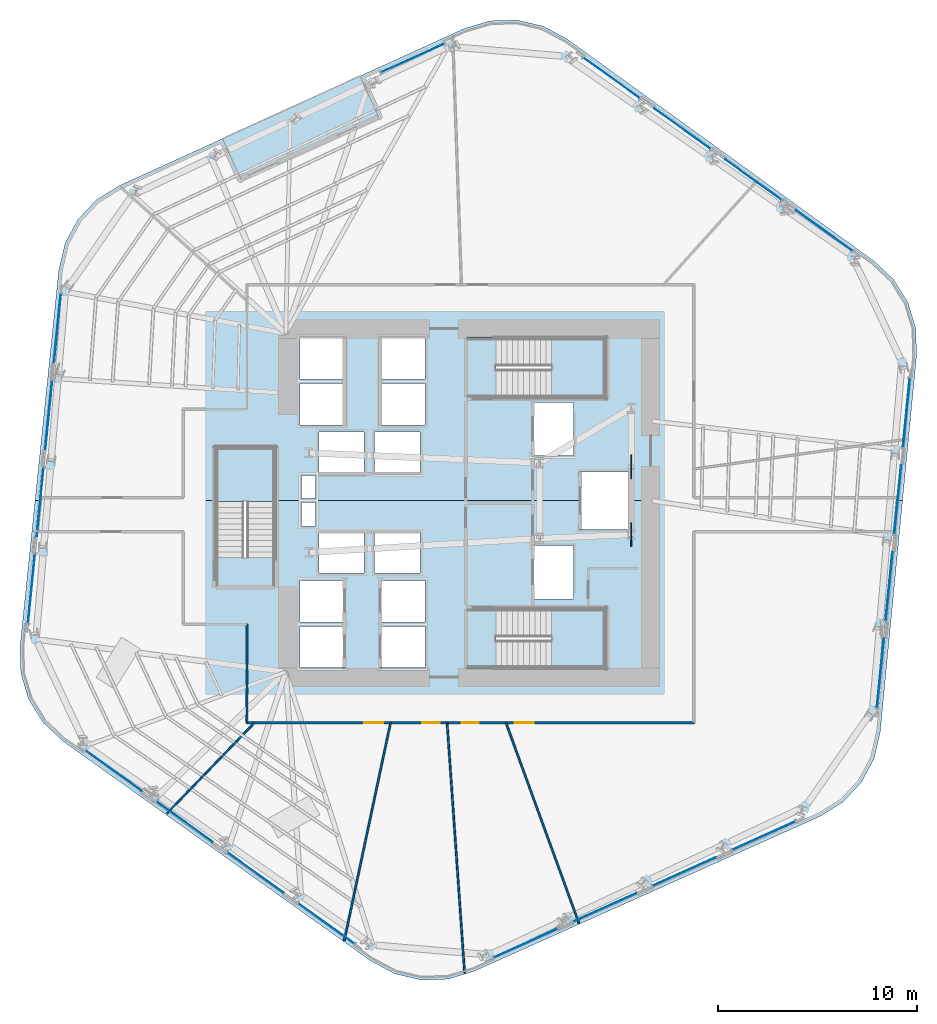
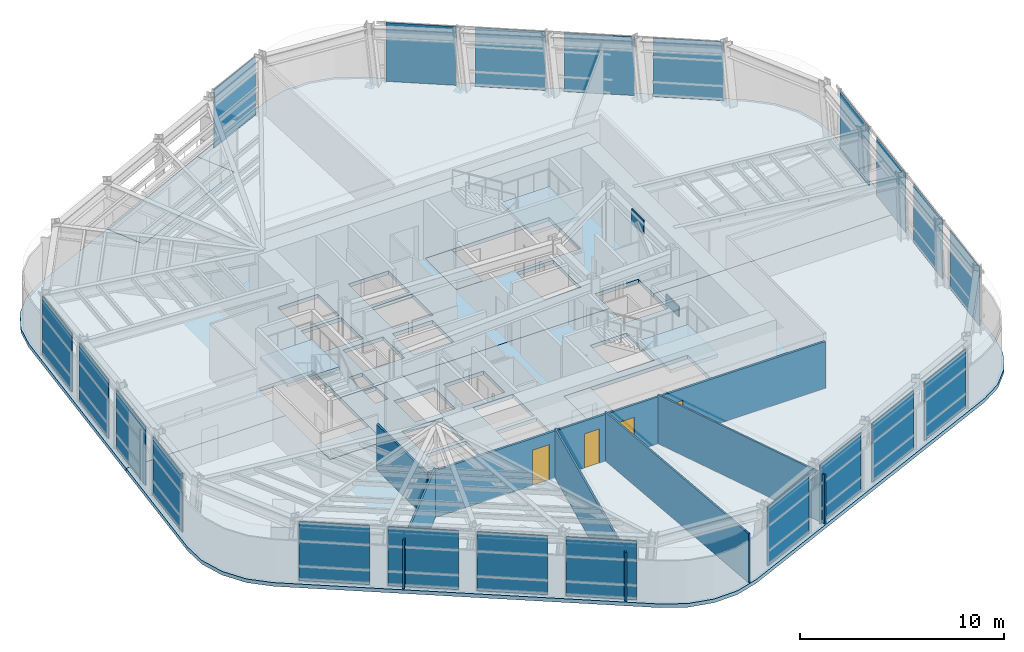
# One storey, part 8 of 16: 23 plates, 9 slabs, 6 walls, 4 doors, 4 openings, 9 elements without a shape of their own.
"""IFC4 building model written with IfcOpenShell, lengths in metres."""

import ifcopenshell
import ifcopenshell.guid

model = None  # the IFC model being written
_history = None  # IfcOwnerHistory: only IFC2X3 demands one
_inside = {}  # id of a spatial element -> (the spatial element, [elements in it])
_under = {}  # id of a project, library or spatial element -> (it, [spatial elements below it])
_declared = {}  # id of a project -> (the project, [libraries it declares])
_typed = {}  # id of a type object -> (the type object, [elements of that type])
_made_of = {}  # id of a material, layer set ... -> (it, [elements and type objects made of it])


def new_model(schema):
    """Start an empty IFC model of exactly this schema.

    Asked for "IFC4X3", IfcOpenShell would pick the latest addendum, in which some entities
    have other attributes; the version numbers below select the first issue.
    IFC2X3 requires an IfcOwnerHistory on every rooted entity: one is made here for all.
    """
    global model, _history
    if schema == "IFC4X3":
        model = ifcopenshell.file(schema_version=(4, 3, 0, 0))
    else:
        model = ifcopenshell.file(schema=schema)
    _inside.clear()
    _under.clear()
    _declared.clear()
    _typed.clear()
    _made_of.clear()
    _history = None
    if model.schema == "IFC2X3":
        org = make("IfcOrganization", Name="unknown")
        user = make(
            "IfcPersonAndOrganization",
            ThePerson=make("IfcPerson", FamilyName="unknown"),
            TheOrganization=org,
        )
        app = make(
            "IfcApplication",
            ApplicationDeveloper=org,
            Version="unknown",
            ApplicationFullName="unknown",
            ApplicationIdentifier="unknown",
        )
        _history = make(
            "IfcOwnerHistory",
            OwningUser=user,
            OwningApplication=app,
            ChangeAction="ADDED",
            CreationDate=0,
        )
    return model


def make(cls, **values):
    """One entity of the class cls with the attributes given. An attribute that is None is left unset."""
    return model.create_entity(
        cls, **{name: value for name, value in values.items() if value is not None}
    )


def rooted(cls, **values):
    """An entity with a GlobalId (a new one), such as an element, a storey or a relation."""
    return make(cls, GlobalId=ifcopenshell.guid.new(), OwnerHistory=_history, **values)


def si_unit(unit_type, name, prefix=None):
    """IfcSIUnit, for example si_unit("LENGTHUNIT", "METRE", prefix="MILLI")."""
    return make("IfcSIUnit", UnitType=unit_type, Prefix=prefix, Name=name)


def assignment(units):
    """IfcUnitAssignment: the units of a project."""
    return None if units is None else make("IfcUnitAssignment", Units=units)


def point(xyz):
    """IfcCartesianPoint."""
    return None if xyz is None else make("IfcCartesianPoint", Coordinates=xyz)


def direction(xyz):
    """IfcDirection."""
    return None if xyz is None else make("IfcDirection", DirectionRatios=xyz)


def frame(location, z_axis=None, x_axis=None):
    """IfcAxis2Placement3D, a coordinate frame: its origin and axes. An axis left out is left unset."""
    return make(
        "IfcAxis2Placement3D",
        Location=point(location),
        Axis=direction(z_axis),
        RefDirection=direction(x_axis),
    )


def frame_2d(location, x_axis=None):
    """IfcAxis2Placement2D, a coordinate frame in the plane: its origin and x axis."""
    return make(
        "IfcAxis2Placement2D", Location=point(location), RefDirection=direction(x_axis)
    )


def origin():
    """The frame at (0, 0, 0) with its axes left unset."""
    return frame((0.0, 0.0, 0.0))


def origin_2d():
    """The frame at (0, 0) in the plane with its x axis left unset."""
    return frame_2d((0.0, 0.0))


def place(relative_to, where):
    """IfcLocalPlacement: puts the frame where relative to a parent placement (None: the world)."""
    return make(
        "IfcLocalPlacement", PlacementRelTo=relative_to, RelativePlacement=where
    )


def context(
    kind, dimensions, precision=None, world=None, true_north=None, identifier=None
):
    """IfcGeometricRepresentationContext, for example the 3D "Model" context."""
    return make(
        "IfcGeometricRepresentationContext",
        ContextIdentifier=identifier,
        ContextType=kind,
        CoordinateSpaceDimension=dimensions,
        Precision=precision,
        WorldCoordinateSystem=world,
        TrueNorth=true_north,
    )


def subcontext(parent, identifier, kind, view, scale=None):
    """IfcGeometricRepresentationSubContext, for example "Body" below "Model"."""
    return make(
        "IfcGeometricRepresentationSubContext",
        ContextIdentifier=identifier,
        ContextType=kind,
        ParentContext=parent,
        TargetScale=scale,
        TargetView=view,
    )


def project(units=None, contexts=None):
    """IfcProject with its units and contexts."""
    return rooted(
        "IfcProject",
        Name="project",
        RepresentationContexts=contexts,
        UnitsInContext=assignment(units),
    )


def spatial(cls, under=None, at=None, **own):
    """A site, building, storey or space (cls), placed at a placement, below another one or the project."""
    s = rooted(cls, ObjectPlacement=at, **own)
    if under is not None:
        _under.setdefault(under.id(), (under, []))[1].append(s)
    return s


def polyline(points):
    """IfcPolyline through the points."""
    return make("IfcPolyline", Points=[point(p) for p in points])


def profile(cls, at=None, kind="AREA", **sizes):
    """A parametric profile (cls). Its sizes go by their IFC names, for example OverallWidth=200.0."""
    return make(cls, ProfileType=kind, Position=at, **sizes)


def rectangle(**sizes):
    """IfcRectangleProfileDef."""
    return profile("IfcRectangleProfileDef", **sizes)


def outline(outer, holes=None, kind="AREA"):
    """IfcArbitraryClosedProfileDef: a profile drawn as a closed curve; with holes, ...WithVoids."""
    if holes is None:
        return make("IfcArbitraryClosedProfileDef", ProfileType=kind, OuterCurve=outer)
    return make(
        "IfcArbitraryProfileDefWithVoids",
        ProfileType=kind,
        OuterCurve=outer,
        InnerCurves=holes,
    )


def extrude(swept, where, along, depth):
    """IfcExtrudedAreaSolid: the profile swept, set in the frame where, extruded along a direction by depth."""
    return make(
        "IfcExtrudedAreaSolid",
        SweptArea=swept,
        Position=where,
        ExtrudedDirection=direction(along),
        Depth=depth,
    )


def shape(context_of_items, identifier, shape_type, items):
    """IfcShapeRepresentation: the items that make up one representation, for example the "Body"."""
    return make(
        "IfcShapeRepresentation",
        ContextOfItems=context_of_items,
        RepresentationIdentifier=identifier,
        RepresentationType=shape_type,
        Items=items,
    )


def material(Name=None, Category=None):
    """IfcMaterial."""
    return make("IfcMaterial", Name=Name, Category=Category)


def layer(
    of_material, thickness, ventilated=None, Name=None, Category=None, Priority=None
):
    """IfcMaterialLayer: one layer of a wall or slab, of a material (None: an air gap)."""
    return make(
        "IfcMaterialLayer",
        Material=of_material,
        LayerThickness=thickness,
        IsVentilated=ventilated,
        Name=Name,
        Category=Category,
        Priority=Priority,
    )


def layer_set(layers, Name=None):
    """IfcMaterialLayerSet."""
    return make("IfcMaterialLayerSet", MaterialLayers=layers, LayerSetName=Name)


def made_of(thing, what):
    """Note that an element or type object is made of a material, layer set ...; save() writes the relation."""
    if what is not None:
        _made_of.setdefault(what.id(), (what, []))[1].append(thing)
    return thing


def type_object(cls, material=None, **own):
    """A type object (cls), such as IfcWallType, which elements share."""
    return made_of(rooted(cls, **own), material)


def element(
    cls,
    number,
    at=None,
    inside=None,
    cuts=None,
    type_object=None,
    material=None,
    context=None,
    identifier="Body",
    shape_type=None,
    held_by="IfcProductDefinitionShape",
    body=None,
    shapes=None,
    **own,
):
    """One element of the class cls, such as IfcWall. Its Tag is "e" and its number.

    at: its placement. inside: the storey or other place that contains it. cuts: it is an
    opening in that element (IfcRelVoidsElement). A single representation is given by context,
    identifier, shape_type and body (its items); several are given by shapes. held_by: the class
    of the entity that holds the representations. save() writes the other relations.
    """
    e = rooted(cls, Tag="e%d" % number, ObjectPlacement=at, **own)
    if body is not None:
        shapes = [shape(context, identifier, shape_type, body)]
    if shapes is not None:
        e.Representation = make(held_by, Representations=shapes)
    if inside is not None:
        _inside.setdefault(inside.id(), (inside, []))[1].append(e)
    if cuts is not None:
        rooted(
            "IfcRelVoidsElement", RelatingBuildingElement=cuts, RelatedOpeningElement=e
        )
    if type_object is not None:
        _typed.setdefault(type_object.id(), (type_object, []))[1].append(e)
    return made_of(e, material)


def fill(opening, filler):
    """IfcRelFillsElement: the door or window that sits in an opening."""
    return rooted(
        "IfcRelFillsElement",
        RelatingOpeningElement=opening,
        RelatedBuildingElement=filler,
    )


def aggregate(whole, parts):
    """IfcRelAggregates: a whole, such as a stair, and the parts it consists of."""
    return rooted("IfcRelAggregates", RelatingObject=whole, RelatedObjects=parts)


def save(model, path):
    """Write the relations noted so far, then the file.

    IfcRelAggregates (storeys below a building ...), IfcRelContainedInSpatialStructure (elements
    in a storey), IfcRelDefinesByType, IfcRelAssociatesMaterial and IfcRelDeclares: one each for
    every whole, place, type object, material and project.
    """
    for whole, parts in _under.values():
        aggregate(whole, parts)
    for where, things in _inside.values():
        rooted(
            "IfcRelContainedInSpatialStructure",
            RelatedElements=things,
            RelatingStructure=where,
        )
    for kind, things in _typed.values():
        rooted("IfcRelDefinesByType", RelatedObjects=things, RelatingType=kind)
    for what, things in _made_of.values():
        rooted("IfcRelAssociatesMaterial", RelatedObjects=things, RelatingMaterial=what)
    for by, libraries in _declared.values():
        rooted("IfcRelDeclares", RelatingContext=by, RelatedDefinitions=libraries)
    model.write(path)


model = new_model("IFC4")

# Units and contexts
model_context = context("Model", 3, precision=1e-05, world=origin(), true_north=direction((0.0, 1.0)))
body_context = subcontext(model_context, "Body", "Model", "MODEL_VIEW")
ifc_project = project(units=[si_unit("LENGTHUNIT", "METRE"), si_unit("AREAUNIT", "SQUARE_METRE"), si_unit("VOLUMEUNIT", "CUBIC_METRE"), si_unit("PLANEANGLEUNIT", "RADIAN"), si_unit("MASSUNIT", "GRAM", prefix="KILO")], contexts=[model_context])

# Site, building, storey
site_placement = place(None, origin())
site = spatial("IfcSite", under=ifc_project, at=site_placement, CompositionType="ELEMENT")
building_placement = place(site_placement, origin())
building = spatial("IfcBuilding", under=site, at=building_placement, Name="Valkerne Bourse Tower", CompositionType="ELEMENT")
storey_placement = place(building_placement, frame((0.0, 0.0, 127.60009765625)))
storey = spatial("IfcBuildingStorey", under=building, at=storey_placement, Name="L32", CompositionType="ELEMENT", Elevation=127.60009765625)

# Curtain wall, plates
ifc_material_1 = material(Name="Aluminium AA 6063-T6", Category="aluminium")
ifc_layer_1 = layer(ifc_material_1, 0.22998046875)
ifc_layer_set_1 = layer_set([ifc_layer_1], Name="Aluminium AA 6063-T6")
curtain_wall_type = type_object("IfcCurtainWallType", Name="CW-02", PredefinedType="NOTDEFINED", material=ifc_layer_set_1)
curtain_wall_1_placement = place(storey_placement, origin())
curtain_wall_1 = element("IfcCurtainWall", 1, at=curtain_wall_1_placement, inside=storey, type_object=curtain_wall_type, Name="L32 Hexagonal Stick Curtain Wall Face 1", PredefinedType="NOTDEFINED")
ifc_material_2 = material(Name="Glass IGU Low-E Double Glazed", Category="glass")
ifc_layer_2 = layer(ifc_material_2, 0.031982421875)
ifc_layer_set_2 = layer_set([ifc_layer_2], Name="Glass IGU Low-E Double Glazed")
plate_type_1 = type_object("IfcPlateType", Name="CW-PNL-IGU-32", PredefinedType="CURTAIN_PANEL", material=ifc_layer_set_2)
plate_1_placement = place(storey_placement, frame((64.64306640625, 40.564697265625, 0.02978515625), z_axis=(0.0, 0.0, 1.0), x_axis=(-0.812093080647, 0.583527915669, 0.0)))
plate_1 = element("IfcPlate", 2, at=plate_1_placement, type_object=plate_type_1, Name="CW-L32-F1 Curtain Panel 00", PredefinedType="CURTAIN_PANEL", context=body_context, shape_type="SweptSolid", body=[
    extrude(rectangle(XDim=3.462890625, YDim=0.031982421875, at=origin_2d()), origin(), (0.0, 0.0, 1.0), 3.52001953125),
])
plate_2_placement = place(storey_placement, frame((61.08349609375, 43.122314453125, 0.02978515625), z_axis=(0.0, 0.0, 1.0), x_axis=(-0.812074499603, 0.583553773953, 0.0)))
plate_2 = element("IfcPlate", 3, at=plate_2_placement, type_object=plate_type_1, Name="CW-L32-F1 Curtain Panel 01", PredefinedType="CURTAIN_PANEL", context=body_context, shape_type="SweptSolid", body=[
    extrude(rectangle(XDim=3.462890625, YDim=0.031982421875, at=origin_2d()), origin(), (0.0, 0.0, 1.0), 3.52001953125),
])
plate_3_placement = place(storey_placement, frame((57.5244140625, 45.679931640625, 0.02978515625), z_axis=(0.0, 0.0, 1.0), x_axis=(-0.812082268884, 0.583542962055, 0.0)))
plate_3 = element("IfcPlate", 4, at=plate_3_placement, type_object=plate_type_1, Name="CW-L32-F1 Curtain Panel 02", PredefinedType="CURTAIN_PANEL", context=body_context, shape_type="SweptSolid", body=[
    extrude(rectangle(XDim=3.462890625, YDim=0.031982421875, at=origin_2d()), origin(), (0.0, 0.0, 1.0), 3.52001953125),
])
plate_4_placement = place(storey_placement, frame((53.96484375, 48.237548828125, 0.02978515625), z_axis=(0.0, 0.0, 1.0), x_axis=(-0.812093080647, 0.583527915669, 0.0)))
plate_4 = element("IfcPlate", 5, at=plate_4_placement, type_object=plate_type_1, Name="CW-L32-F1 Curtain Panel 03", PredefinedType="CURTAIN_PANEL", context=body_context, shape_type="SweptSolid", body=[
    extrude(rectangle(XDim=3.462890625, YDim=0.031982421875, at=origin_2d()), origin(), (0.0, 0.0, 1.0), 3.52001953125),
])
aggregate(curtain_wall_1, [plate_1, plate_2, plate_3, plate_4])

# Curtain wall, plate
curtain_wall_2_placement = place(storey_placement, origin())
curtain_wall_2 = element("IfcCurtainWall", 6, at=curtain_wall_2_placement, inside=storey, type_object=curtain_wall_type, Name="L32 Hexagonal Stick Curtain Wall Face 2", PredefinedType="NOTDEFINED")
plate_5_placement = place(storey_placement, frame((43.97412109375, 49.23486328125, 0.02978515625), z_axis=(0.0, 0.0, 1.0), x_axis=(-0.911401240965, -0.411518867086, 0.0)))
plate_5 = element("IfcPlate", 7, at=plate_5_placement, type_object=plate_type_1, Name="CW-L32-F2 Curtain Panel 00", PredefinedType="CURTAIN_PANEL", context=body_context, shape_type="SweptSolid", body=[
    extrude(rectangle(XDim=3.462890625, YDim=0.031982421875, at=origin_2d()), origin(), (0.0, 0.0, 1.0), 3.52001953125),
])
aggregate(curtain_wall_2, [plate_5])

# Curtain wall, plates
curtain_wall_3_placement = place(storey_placement, origin())
curtain_wall_3 = element("IfcCurtainWall", 8, at=curtain_wall_3_placement, inside=storey, type_object=curtain_wall_type, Name="L32 Hexagonal Stick Curtain Wall Face 3", PredefinedType="NOTDEFINED")
plate_6_placement = place(storey_placement, frame((26.13134765625, 35.670166015625, 0.02978515625), z_axis=(0.0, 0.0, 1.0), x_axis=(-0.099316222871, -0.995055921984, 0.0)))
plate_6 = element("IfcPlate", 9, at=plate_6_placement, type_object=plate_type_1, Name="CW-L32-F3 Curtain Panel 00", PredefinedType="CURTAIN_PANEL", context=body_context, shape_type="SweptSolid", body=[
    extrude(rectangle(XDim=3.462890625, YDim=0.031982421875, at=origin_2d()), origin(), (0.0, 0.0, 1.0), 3.52001953125),
])
plate_7_placement = place(storey_placement, frame((25.69580078125, 31.308837890625, 0.02978515625), z_axis=(0.0, 0.0, 1.0), x_axis=(-0.099336558133, -0.995053892118, 0.0)))
plate_7 = element("IfcPlate", 10, at=plate_7_placement, type_object=plate_type_1, Name="CW-L32-F3 Curtain Panel 01", PredefinedType="CURTAIN_PANEL", context=body_context, shape_type="SweptSolid", body=[
    extrude(rectangle(XDim=3.463134765625, YDim=0.031982421875, at=origin_2d()), origin(), (0.0, 0.0, 1.0), 3.52001953125),
])
plate_8_placement = place(storey_placement, frame((25.260498046875, 26.947509765625, 0.02978515625), z_axis=(0.0, 0.0, 1.0), x_axis=(-0.099316222871, -0.995055921984, 0.0)))
plate_8 = element("IfcPlate", 11, at=plate_8_placement, type_object=plate_type_1, Name="CW-L32-F3 Curtain Panel 02", PredefinedType="CURTAIN_PANEL", context=body_context, shape_type="SweptSolid", body=[
    extrude(rectangle(XDim=3.462890625, YDim=0.031982421875, at=origin_2d()), origin(), (0.0, 0.0, 1.0), 3.52001953125),
])
plate_9_placement = place(storey_placement, frame((24.8251953125, 22.586181640625, 0.02978515625), z_axis=(0.0, 0.0, 1.0), x_axis=(-0.099316222871, -0.995055921984, 0.0)))
plate_9 = element("IfcPlate", 12, at=plate_9_placement, type_object=plate_type_1, Name="CW-L32-F3 Curtain Panel 03", PredefinedType="CURTAIN_PANEL", context=body_context, shape_type="SweptSolid", body=[
    extrude(rectangle(XDim=3.462890625, YDim=0.031982421875, at=origin_2d()), origin(), (0.0, 0.0, 1.0), 3.52001953125),
])
aggregate(curtain_wall_3, [plate_6, plate_7, plate_8, plate_9])

curtain_wall_4_placement = place(storey_placement, origin())
curtain_wall_4 = element("IfcCurtainWall", 13, at=curtain_wall_4_placement, inside=storey, type_object=curtain_wall_type, Name="L32 Hexagonal Stick Curtain Wall Face 4", PredefinedType="NOTDEFINED")
plate_10_placement = place(storey_placement, frame((28.95703125, 13.435302734375, 0.02978515625), z_axis=(0.0, 0.0, 1.0), x_axis=(0.812093080647, -0.583527915669, 0.0)))
plate_10 = element("IfcPlate", 14, at=plate_10_placement, type_object=plate_type_1, Name="CW-L32-F4 Curtain Panel 00", PredefinedType="CURTAIN_PANEL", context=body_context, shape_type="SweptSolid", body=[
    extrude(rectangle(XDim=3.462890625, YDim=0.031982421875, at=origin_2d()), origin(), (0.0, 0.0, 1.0), 3.52001953125),
])
plate_11_placement = place(storey_placement, frame((32.516357421875, 10.877685546875, 0.02978515625), z_axis=(0.0, 0.0, 1.0), x_axis=(0.812074499603, -0.583553773953, 0.0)))
plate_11 = element("IfcPlate", 15, at=plate_11_placement, type_object=plate_type_1, Name="CW-L32-F4 Curtain Panel 01", PredefinedType="CURTAIN_PANEL", context=body_context, shape_type="SweptSolid", body=[
    extrude(rectangle(XDim=3.462890625, YDim=0.031982421875, at=origin_2d()), origin(), (0.0, 0.0, 1.0), 3.52001953125),
])
plate_12_placement = place(storey_placement, frame((36.07568359375, 8.320068359375, 0.02978515625), z_axis=(0.0, 0.0, 1.0), x_axis=(0.812082268884, -0.583542962055, 0.0)))
plate_12 = element("IfcPlate", 16, at=plate_12_placement, type_object=plate_type_1, Name="CW-L32-F4 Curtain Panel 02", PredefinedType="CURTAIN_PANEL", context=body_context, shape_type="SweptSolid", body=[
    extrude(rectangle(XDim=3.462890625, YDim=0.031982421875, at=origin_2d()), origin(), (0.0, 0.0, 1.0), 3.52001953125),
])
plate_13_placement = place(storey_placement, frame((39.635009765625, 5.762451171875, 0.02978515625), z_axis=(0.0, 0.0, 1.0), x_axis=(0.812093080647, -0.583527915669, 0.0)))
plate_13 = element("IfcPlate", 17, at=plate_13_placement, type_object=plate_type_1, Name="CW-L32-F4 Curtain Panel 03", PredefinedType="CURTAIN_PANEL", context=body_context, shape_type="SweptSolid", body=[
    extrude(rectangle(XDim=3.462890625, YDim=0.031982421875, at=origin_2d()), origin(), (0.0, 0.0, 1.0), 3.52001953125),
])
aggregate(curtain_wall_4, [plate_10, plate_11, plate_12, plate_13])

curtain_wall_5_placement = place(storey_placement, origin())
curtain_wall_5 = element("IfcCurtainWall", 18, at=curtain_wall_5_placement, inside=storey, type_object=curtain_wall_type, Name="L32 Hexagonal Stick Curtain Wall Face 5", PredefinedType="NOTDEFINED")
plate_14_placement = place(storey_placement, frame((49.625732421875, 4.76513671875, 0.02978515625), z_axis=(0.0, 0.0, 1.0), x_axis=(0.911401240965, 0.411518867086, 0.0)))
plate_14 = element("IfcPlate", 19, at=plate_14_placement, type_object=plate_type_1, Name="CW-L32-F5 Curtain Panel 00", PredefinedType="CURTAIN_PANEL", context=body_context, shape_type="SweptSolid", body=[
    extrude(rectangle(XDim=3.462890625, YDim=0.031982421875, at=origin_2d()), origin(), (0.0, 0.0, 1.0), 3.52001953125),
])
plate_15_placement = place(storey_placement, frame((53.620361328125, 6.56884765625, 0.02978515625), z_axis=(0.0, 0.0, 1.0), x_axis=(0.911401240965, 0.411518867086, 0.0)))
plate_15 = element("IfcPlate", 20, at=plate_15_placement, type_object=plate_type_1, Name="CW-L32-F5 Curtain Panel 01", PredefinedType="CURTAIN_PANEL", context=body_context, shape_type="SweptSolid", body=[
    extrude(rectangle(XDim=3.462890625, YDim=0.031982421875, at=origin_2d()), origin(), (0.0, 0.0, 1.0), 3.52001953125),
])
plate_16_placement = place(storey_placement, frame((57.614990234375, 8.37255859375, 0.02978515625), z_axis=(0.0, 0.0, 1.0), x_axis=(0.911401240965, 0.411518867086, 0.0)))
plate_16 = element("IfcPlate", 21, at=plate_16_placement, type_object=plate_type_1, Name="CW-L32-F5 Curtain Panel 02", PredefinedType="CURTAIN_PANEL", context=body_context, shape_type="SweptSolid", body=[
    extrude(rectangle(XDim=3.462890625, YDim=0.031982421875, at=origin_2d()), origin(), (0.0, 0.0, 1.0), 3.52001953125),
])
plate_17_placement = place(storey_placement, frame((61.60986328125, 10.17626953125, 0.02978515625), z_axis=(0.0, 0.0, 1.0), x_axis=(0.911409797917, 0.411499915263, 0.0)))
plate_17 = element("IfcPlate", 22, at=plate_17_placement, type_object=plate_type_1, Name="CW-L32-F5 Curtain Panel 03", PredefinedType="CURTAIN_PANEL", context=body_context, shape_type="SweptSolid", body=[
    extrude(rectangle(XDim=3.462890625, YDim=0.031982421875, at=origin_2d()), origin(), (0.0, 0.0, 1.0), 3.52001953125),
])
aggregate(curtain_wall_5, [plate_14, plate_15, plate_16, plate_17])

curtain_wall_6_placement = place(storey_placement, origin())
curtain_wall_6 = element("IfcCurtainWall", 23, at=curtain_wall_6_placement, inside=storey, type_object=curtain_wall_type, Name="L32 Hexagonal Stick Curtain Wall Face 6", PredefinedType="NOTDEFINED")
plate_18_placement = place(storey_placement, frame((67.46875, 18.329833984375, 0.02978515625), z_axis=(0.0, 0.0, 1.0), x_axis=(0.099316222871, 0.995055921984, 0.0)))
plate_18 = element("IfcPlate", 24, at=plate_18_placement, type_object=plate_type_1, Name="CW-L32-F6 Curtain Panel 00", PredefinedType="CURTAIN_PANEL", context=body_context, shape_type="SweptSolid", body=[
    extrude(rectangle(XDim=3.462890625, YDim=0.031982421875, at=origin_2d()), origin(), (0.0, 0.0, 1.0), 3.52001953125),
])
plate_19_placement = place(storey_placement, frame((67.904052734375, 22.691162109375, 0.02978515625), z_axis=(0.0, 0.0, 1.0), x_axis=(0.099336558133, 0.995053892118, 0.0)))
plate_19 = element("IfcPlate", 25, at=plate_19_placement, type_object=plate_type_1, Name="CW-L32-F6 Curtain Panel 01", PredefinedType="CURTAIN_PANEL", context=body_context, shape_type="SweptSolid", body=[
    extrude(rectangle(XDim=3.463134765625, YDim=0.031982421875, at=origin_2d()), origin(), (0.0, 0.0, 1.0), 3.52001953125),
])
plate_20_placement = place(storey_placement, frame((68.33935546875, 27.052490234375, 0.02978515625), z_axis=(0.0, 0.0, 1.0), x_axis=(0.099316222871, 0.995055921984, 0.0)))
plate_20 = element("IfcPlate", 26, at=plate_20_placement, type_object=plate_type_1, Name="CW-L32-F6 Curtain Panel 02", PredefinedType="CURTAIN_PANEL", context=body_context, shape_type="SweptSolid", body=[
    extrude(rectangle(XDim=3.462890625, YDim=0.031982421875, at=origin_2d()), origin(), (0.0, 0.0, 1.0), 3.52001953125),
])
plate_21_placement = place(storey_placement, frame((68.774658203125, 31.413818359375, 0.02978515625), z_axis=(0.0, 0.0, 1.0), x_axis=(0.099316222871, 0.995055921984, 0.0)))
plate_21 = element("IfcPlate", 27, at=plate_21_placement, type_object=plate_type_1, Name="CW-L32-F6 Curtain Panel 03", PredefinedType="CURTAIN_PANEL", context=body_context, shape_type="SweptSolid", body=[
    extrude(rectangle(XDim=3.462890625, YDim=0.031982421875, at=origin_2d()), origin(), (0.0, 0.0, 1.0), 3.52001953125),
])
aggregate(curtain_wall_6, [plate_18, plate_19, plate_20, plate_21])

# Plates
ifc_material_3 = material(Name="Steel ASTM A572 Grade 50", Category="steel")
ifc_layer_3 = layer(ifc_material_3, 0.06005859375)
ifc_layer_set_3 = layer_set([ifc_layer_3], Name="Steel ASTM A572 Grade 50")
plate_type_2 = type_object("IfcPlateType", Name="PLT-GUS-60", PredefinedType="SHEET", material=ifc_layer_set_3)
for number, where, z_axis, x_axis, name in (
    (28, (54.949951171875, 25.300048828125, -0.18017578125), (0.0, 0.0, 1.0), (0.0, 1.0, 0.0), "L32 Brace Node Gusset Plate PLT-GUS-END-L32-380"),
    (29, (54.949951171875, 28.699951171875, 2.8740234375), (0.0, 0.0, 1.0), (0.0, 1.0, 0.0), "L32 Brace Node Gusset Plate PLT-GUS-END-L32-381"),
):
    element("IfcPlate", number, at=place(storey_placement, frame(where, z_axis=z_axis, x_axis=x_axis)), inside=storey, type_object=plate_type_2, Name=name, PredefinedType="SHEET", context=body_context, shape_type="SweptSolid", body=[
        extrude(rectangle(XDim=1.199951171875, YDim=0.06005859375, at=origin_2d()), origin(), (0.0, 0.0, 1.0), 0.800048828125),
    ])

# Slabs
ifc_material_4 = material(Name="Concrete C40/50", Category="concrete")
ifc_layer_4 = layer(ifc_material_4, 0.25)
ifc_layer_set_4 = layer_set([ifc_layer_4], Name="Concrete C40/50")
slab_type_1 = type_object("IfcSlabType", Name="SLB-RMP-LND-250", PredefinedType="LANDING", material=ifc_layer_set_4)
slab_1_placement = place(storey_placement, frame((0.0, 0.0, -0.22021484375)))
element("IfcSlab", 30, at=slab_1_placement, inside=storey, type_object=slab_type_1, Name="L32 ST-1 Floor Landing Slab", PredefinedType="LANDING", context=body_context, shape_type="SweptSolid", body=[
    extrude(outline(polyline([(46.669921875, 18.5400390625), (48.14990234375, 18.5400390625), (48.14990234375, 21.610107421875), (46.669921875, 21.610107421875), (46.669921875, 18.5400390625)])), origin(), (0.0, 0.0, 1.0), 0.22021484375),
])
slab_2_placement = place(storey_placement, frame((0.0, 0.0, -0.22021484375)))
element("IfcSlab", 31, at=slab_2_placement, inside=storey, type_object=slab_type_1, Name="L32 ST-2 Floor Landing Slab", PredefinedType="LANDING", context=body_context, shape_type="SweptSolid", body=[
    extrude(outline(polyline([(46.669921875, 32.139892578125), (48.14990234375, 32.139892578125), (48.14990234375, 35.2099609375), (46.669921875, 35.2099609375), (46.669921875, 32.139892578125)])), origin(), (0.0, 0.0, 1.0), 0.22021484375),
])
slab_3_placement = place(storey_placement, frame((0.0, 0.0, -0.22021484375)))
element("IfcSlab", 32, at=slab_3_placement, inside=storey, type_object=slab_type_1, Name="L32 ST-3 Floor Landing Slab", PredefinedType="LANDING", context=body_context, shape_type="SweptSolid", body=[
    extrude(outline(polyline([(37.110107421875, 22.669921875), (37.110107421875, 24.14990234375), (34.0400390625, 24.14990234375), (34.0400390625, 22.669921875), (37.110107421875, 22.669921875)])), origin(), (0.0, 0.0, 1.0), 0.22021484375),
])

# Stair, slab
stair_type = type_object("IfcStairType", Name="ST-CORE-1400", PredefinedType="HALF_TURN_STAIR", material=ifc_material_4)
stair_1_placement = place(storey_placement, origin())
stair_1 = element("IfcStair", 33, at=stair_1_placement, inside=storey, type_object=stair_type, Name="L32 ST-1", PredefinedType="HALF_TURN_STAIR")
ifc_layer_5 = layer(ifc_material_4, 0.179931640625)
ifc_layer_set_5 = layer_set([ifc_layer_5], Name="Concrete C40/50")
slab_type_2 = type_object("IfcSlabType", Name="SLB-ST-LND-180", PredefinedType="LANDING", material=ifc_layer_set_5)
slab_4_placement = place(storey_placement, frame((0.0, 0.0, 1.699951171875)))
slab_4 = element("IfcSlab", 34, at=slab_4_placement, type_object=slab_type_2, Name="ST-1 landing 1", PredefinedType="LANDING", context=body_context, shape_type="SweptSolid", body=[
    extrude(outline(polyline([(50.949951171875, 18.60009765625), (53.64990234375, 18.60009765625), (53.64990234375, 21.550048828125), (50.949951171875, 21.550048828125), (50.949951171875, 18.60009765625)])), origin(), (0.0, 0.0, 1.0), 0.199951171875),
])
aggregate(stair_1, [slab_4])

stair_2_placement = place(storey_placement, origin())
stair_2 = element("IfcStair", 35, at=stair_2_placement, inside=storey, type_object=stair_type, Name="L32 ST-2", PredefinedType="HALF_TURN_STAIR")
slab_5_placement = place(storey_placement, frame((0.0, 0.0, 1.699951171875)))
slab_5 = element("IfcSlab", 36, at=slab_5_placement, type_object=slab_type_2, Name="ST-2 landing 1", PredefinedType="LANDING", context=body_context, shape_type="SweptSolid", body=[
    extrude(outline(polyline([(50.949951171875, 32.199951171875), (53.64990234375, 32.199951171875), (53.64990234375, 35.14990234375), (50.949951171875, 35.14990234375), (50.949951171875, 32.199951171875)])), origin(), (0.0, 0.0, 1.0), 0.199951171875),
])
aggregate(stair_2, [slab_5])

stair_3_placement = place(storey_placement, origin())
stair_3 = element("IfcStair", 37, at=stair_3_placement, inside=storey, type_object=stair_type, Name="L32 ST-3", PredefinedType="HALF_TURN_STAIR")
slab_6_placement = place(storey_placement, frame((0.0, 0.0, 1.699951171875)))
slab_6 = element("IfcSlab", 38, at=slab_6_placement, type_object=slab_type_2, Name="ST-3 landing 1", PredefinedType="LANDING", context=body_context, shape_type="SweptSolid", body=[
    extrude(outline(polyline([(37.050048828125, 26.949951171875), (37.050048828125, 29.64990234375), (34.10009765625, 29.64990234375), (34.10009765625, 26.949951171875), (37.050048828125, 26.949951171875)])), origin(), (0.0, 0.0, 1.0), 0.199951171875),
])
aggregate(stair_3, [slab_6])

# Slabs
ifc_layer_6 = layer(ifc_material_4, 0.199951171875)
ifc_layer_set_6 = layer_set([ifc_layer_6], Name="Concrete C40/50")
slab_type_3 = type_object("IfcSlabType", Name="SLB-TER-200", PredefinedType="FLOOR", material=ifc_layer_set_6)
slab_7_placement = place(storey_placement, frame((0.0, 0.0, -0.2001953125)))
element("IfcSlab", 39, at=slab_7_placement, inside=storey, type_object=slab_type_3, Name="L32 V-Notch Stepped Outdoor Terrace Slab", PredefinedType="FLOOR", context=body_context, shape_type="SweptSolid", body=[
    extrude(outline(polyline([(41.336181640625, 48.334716796875), (42.259033203125, 46.291015625), (35.33251953125, 43.16357421875), (34.419677734375, 45.185302734375), (41.336181640625, 48.334716796875)])), origin(), (0.0, 0.0, 1.0), 0.2001953125),
])
ifc_layer_7 = layer(ifc_material_4, 0.219970703125)
ifc_layer_set_7 = layer_set([ifc_layer_7], Name="Concrete C40/50")
slab_type_4 = type_object("IfcSlabType", Name="SLB-TOW-220", PredefinedType="FLOOR", material=ifc_layer_set_7)
slab_8_placement = place(storey_placement, frame((0.0, 0.0, -0.22021484375)))
element("IfcSlab", 40, at=slab_8_placement, inside=storey, type_object=slab_type_4, Name="L32 Hexagonal Composite Floor Slab S", PredefinedType="FLOOR", context=body_context, shape_type="SweptSolid", body=[
    extrude(outline(polyline([(67.45703125, 15.35791015625), (67.147216796875, 14.036376953125), (66.505615234375, 12.840087890625), (65.576416015625, 11.8505859375), (64.422607421875, 11.13525390625), (47.05322265625, 3.359130859375), (45.753662109375, 2.966796875), (44.39697265625, 2.924072265625), (43.0751953125, 3.234130859375), (41.87890625, 3.87548828125), (26.38916015625, 14.931396484375), (25.399658203125, 15.860595703125), (24.684326171875, 17.014404296875), (24.2919921875, 18.31396484375), (24.249267578125, 19.670654296875), (25.00439453125, 27.0), (34.034912109375, 27.0), (34.034912109375, 22.6650390625), (37.114990234375, 22.6650390625), (37.114990234375, 27.0), (52.360107421875, 27.0), (52.360107421875, 25.56005859375), (54.840087890625, 25.56005859375), (54.840087890625, 27.0), (68.581787109375, 27.0), (67.45703125, 15.35791015625)]), holes=[polyline([(40.590087890625, 20.68994140625), (38.31005859375, 20.68994140625), (38.31005859375, 18.610107421875), (40.590087890625, 18.610107421875), (40.590087890625, 20.68994140625)]), polyline([(40.590087890625, 22.989990234375), (38.31005859375, 22.989990234375), (38.31005859375, 20.909912109375), (40.590087890625, 20.909912109375), (40.590087890625, 22.989990234375)]), polyline([(41.5400390625, 25.43994140625), (39.260009765625, 25.43994140625), (39.260009765625, 23.360107421875), (41.5400390625, 23.360107421875), (41.5400390625, 25.43994140625)]), polyline([(39.10009765625, 25.72998046875), (39.10009765625, 26.89990234375), (38.3798828125, 26.89990234375), (38.3798828125, 25.72998046875), (39.10009765625, 25.72998046875)]), polyline([(44.590087890625, 20.68994140625), (42.31005859375, 20.68994140625), (42.31005859375, 18.610107421875), (44.590087890625, 18.610107421875), (44.590087890625, 20.68994140625)]), polyline([(53.675048828125, 21.614990234375), (46.6650390625, 21.614990234375), (46.6650390625, 18.534912109375), (53.675048828125, 18.534912109375), (53.675048828125, 21.614990234375)]), polyline([(44.590087890625, 22.989990234375), (42.31005859375, 22.989990234375), (42.31005859375, 20.909912109375), (44.590087890625, 20.909912109375), (44.590087890625, 22.989990234375)]), polyline([(52.0400390625, 22.06005859375), (52.0400390625, 24.739990234375), (49.9599609375, 24.739990234375), (49.9599609375, 22.06005859375), (52.0400390625, 22.06005859375)]), polyline([(44.340087890625, 23.360107421875), (44.340087890625, 25.43994140625), (42.06005859375, 25.43994140625), (42.06005859375, 23.360107421875), (44.340087890625, 23.360107421875)])]), origin(), (0.0, 0.0, 1.0), 0.22021484375),
])
slab_9_placement = place(storey_placement, frame((0.0, 0.0, -0.22021484375)))
element("IfcSlab", 41, at=slab_9_placement, inside=storey, type_object=slab_type_4, Name="L32 Hexagonal Composite Floor Slab N", PredefinedType="FLOOR", context=body_context, shape_type="SweptSolid", body=[
    extrude(outline(polyline([(49.2099609375, 51.1455078125), (50.53173828125, 50.835693359375), (51.72802734375, 50.194091796875), (67.14697265625, 39.039794921875), (68.13671875, 38.110595703125), (68.851806640625, 36.956787109375), (69.244384765625, 35.6572265625), (69.286865234375, 34.300537109375), (68.581787109375, 27.0), (54.840087890625, 27.0), (54.840087890625, 28.43994140625), (52.360107421875, 28.43994140625), (52.360107421875, 27.0), (37.114990234375, 27.0), (37.114990234375, 29.675048828125), (34.034912109375, 29.675048828125), (34.034912109375, 27.0), (25.00439453125, 27.0), (26.19970703125, 38.601318359375), (26.509765625, 39.9228515625), (27.151123046875, 41.119140625), (28.080322265625, 42.108642578125), (29.234130859375, 42.823974609375), (34.419677734375, 45.185302734375), (35.33251953125, 43.16357421875), (42.259033203125, 46.291015625), (41.336181640625, 48.334716796875), (46.5537109375, 50.710693359375), (47.853271484375, 51.102783203125), (49.2099609375, 51.1455078125)]), holes=[polyline([(39.10009765625, 28.27001953125), (38.3798828125, 28.27001953125), (38.3798828125, 27.10009765625), (39.10009765625, 27.10009765625), (39.10009765625, 28.27001953125)]), polyline([(41.5400390625, 30.43994140625), (39.260009765625, 30.43994140625), (39.260009765625, 28.360107421875), (41.5400390625, 28.360107421875), (41.5400390625, 30.43994140625)]), polyline([(44.340087890625, 30.43994140625), (42.06005859375, 30.43994140625), (42.06005859375, 28.360107421875), (44.340087890625, 28.360107421875), (44.340087890625, 30.43994140625)]), polyline([(40.590087890625, 30.81005859375), (40.590087890625, 32.889892578125), (38.31005859375, 32.889892578125), (38.31005859375, 30.81005859375), (40.590087890625, 30.81005859375)]), polyline([(40.590087890625, 33.110107421875), (40.590087890625, 35.18994140625), (38.31005859375, 35.18994140625), (38.31005859375, 33.110107421875), (40.590087890625, 33.110107421875)]), polyline([(52.0400390625, 31.93994140625), (49.9599609375, 31.93994140625), (49.9599609375, 29.260009765625), (52.0400390625, 29.260009765625), (52.0400390625, 31.93994140625)]), polyline([(44.590087890625, 32.889892578125), (42.31005859375, 32.889892578125), (42.31005859375, 30.81005859375), (44.590087890625, 30.81005859375), (44.590087890625, 32.889892578125)]), polyline([(53.675048828125, 32.135009765625), (53.675048828125, 35.215087890625), (46.6650390625, 35.215087890625), (46.6650390625, 32.135009765625), (53.675048828125, 32.135009765625)]), polyline([(44.590087890625, 33.110107421875), (44.590087890625, 35.18994140625), (42.31005859375, 35.18994140625), (42.31005859375, 33.110107421875), (44.590087890625, 33.110107421875)])]), origin(), (0.0, 0.0, 1.0), 0.22021484375),
])

# Wall, openings, doors
ifc_material_5 = material(Name="Gypsum Board Steel-Stud Partition", Category="steel")
ifc_layer_8 = layer(ifc_material_5, 0.117919921875)
ifc_layer_set_8 = layer_set([ifc_layer_8], Name="Gypsum Board Steel-Stud Partition")
wall_type_1 = type_object("IfcWallType", Name="W-CORR-140", PredefinedType="PARTITIONING", material=ifc_layer_set_8)
wall_1_placement = place(storey_placement, frame((58.10009765625, 15.85009765625, 0.0), z_axis=(0.0, 0.0, 1.0), x_axis=(-1.0, 0.0, 0.0)))
wall_1 = element("IfcWall", 42, at=wall_1_placement, inside=storey, type_object=wall_type_1, Name="L32 Corridor Enclosure Wall", PredefinedType="PARTITIONING", context=body_context, shape_type="SweptSolid", body=[
    extrude(rectangle(XDim=22.4501953125, YDim=0.117919921875, at=frame_2d((11.22509765625, 0.0))), origin(), (0.0, 0.0, 1.0), 2.80029296875),
])
opening_1_placement = place(wall_1_placement, frame((10.794921875, 0.0, 0.0)))
opening_1 = element("IfcOpeningElement", 43, at=opening_1_placement, cuts=wall_1, Name="Opening D-WC-900", PredefinedType="OPENING", context=body_context, shape_type="SweptSolid", body=[
    extrude(rectangle(XDim=0.860107421875, YDim=2.050048828125, at=frame_2d((0.43017578125, 1.02490234375))), frame((0.0, 0.06884765625, 0.0), z_axis=(0.0, -1.0, 0.0), x_axis=(1.0, 0.0, 0.0)), (0.0, 0.0, 1.0), 0.137939453125),
])
opening_2_placement = place(wall_1_placement, frame((12.77490234375, 0.0, 0.0)))
opening_2 = element("IfcOpeningElement", 44, at=opening_2_placement, cuts=wall_1, Name="Opening D-WC-900", PredefinedType="OPENING", context=body_context, shape_type="SweptSolid", body=[
    extrude(rectangle(XDim=0.860107421875, YDim=2.050048828125, at=frame_2d((0.43017578125, 1.02490234375))), frame((0.0, 0.06884765625, 0.0), z_axis=(0.0, -1.0, 0.0), x_axis=(1.0, 0.0, 0.0)), (0.0, 0.0, 1.0), 0.137939453125),
])
opening_3_placement = place(wall_1_placement, frame((15.610107421875, 0.0, 0.0)))
opening_3 = element("IfcOpeningElement", 45, at=opening_3_placement, cuts=wall_1, Name="Opening D-OF-950", PredefinedType="OPENING", context=body_context, shape_type="SweptSolid", body=[
    extrude(rectangle(XDim=0.949951171875, YDim=2.10009765625, at=frame_2d((0.47509765625, 1.050048828125))), frame((0.0, 0.06884765625, 0.0), z_axis=(0.0, -1.0, 0.0), x_axis=(1.0, 0.0, 0.0)), (0.0, 0.0, 1.0), 0.137939453125),
])
opening_4_placement = place(wall_1_placement, frame((8.050048828125, 0.0, 0.0)))
opening_4 = element("IfcOpeningElement", 46, at=opening_4_placement, cuts=wall_1, Name="Opening D-OF-950", PredefinedType="OPENING", context=body_context, shape_type="SweptSolid", body=[
    extrude(rectangle(XDim=0.949951171875, YDim=2.10009765625, at=frame_2d((0.47509765625, 1.050048828125))), frame((0.0, 0.06884765625, 0.0), z_axis=(0.0, -1.0, 0.0), x_axis=(1.0, 0.0, 0.0)), (0.0, 0.0, 1.0), 0.137939453125),
])
ifc_material_6 = material(Name="Architectural White Oak Timber", Category="wood")
door_type_1 = type_object("IfcDoorType", Name="DR-OFF-950", OperationType="NOTDEFINED", PredefinedType="DOOR", material=ifc_material_6)
door_1_placement = place(opening_3_placement, origin())
door_1 = element("IfcDoor", 47, at=door_1_placement, inside=storey, type_object=door_type_1, Name="L32 L32 Member Collaboration Club Salon 3 Door", OperationType="SINGLE_SWING_RIGHT", OverallHeight=2.10009765625, OverallWidth=0.949951171875, PredefinedType="DOOR", context=body_context, shape_type="SweptSolid", body=[
    extrude(rectangle(XDim=0.949951171875, YDim=2.10009765625, at=frame_2d((0.47509765625, 1.050048828125))), frame((0.0, 0.02490234375, 0.0), z_axis=(0.0, -1.0, 0.0), x_axis=(1.0, 0.0, 0.0)), (0.0, 0.0, 1.0), 0.050048828125),
])
fill(opening_3, door_1)
door_2_placement = place(opening_4_placement, origin())
door_2 = element("IfcDoor", 48, at=door_2_placement, inside=storey, type_object=door_type_1, Name="L32 L32 Hospitality Catering Kitchen 9 Door", OperationType="SINGLE_SWING_LEFT", OverallHeight=2.10009765625, OverallWidth=0.949951171875, PredefinedType="DOOR", context=body_context, shape_type="SweptSolid", body=[
    extrude(rectangle(XDim=0.949951171875, YDim=2.10009765625, at=frame_2d((0.47509765625, 1.050048828125))), frame((0.0, 0.02490234375, 0.0), z_axis=(0.0, -1.0, 0.0), x_axis=(1.0, 0.0, 0.0)), (0.0, 0.0, 1.0), 0.050048828125),
])
fill(opening_4, door_2)
door_type_2 = type_object("IfcDoorType", Name="DR-WC-900", OperationType="NOTDEFINED", PredefinedType="DOOR", material=ifc_material_6)
door_3_placement = place(opening_1_placement, origin())
door_3 = element("IfcDoor", 49, at=door_3_placement, inside=storey, type_object=door_type_2, Name="L32 L32 Men Bathroom WC 1 Door", OperationType="SINGLE_SWING_RIGHT", OverallHeight=2.050048828125, OverallWidth=0.860107421875, PredefinedType="DOOR", context=body_context, shape_type="SweptSolid", body=[
    extrude(rectangle(XDim=0.860107421875, YDim=2.050048828125, at=frame_2d((0.43017578125, 1.02490234375))), frame((0.0, 0.02490234375, 0.0), z_axis=(0.0, -1.0, 0.0), x_axis=(1.0, 0.0, 0.0)), (0.0, 0.0, 1.0), 0.050048828125),
])
fill(opening_1, door_3)
door_4_placement = place(opening_2_placement, origin())
door_4 = element("IfcDoor", 50, at=door_4_placement, inside=storey, type_object=door_type_2, Name="L32 L32 Women Restroom & Shower WC 2 Door", OperationType="SINGLE_SWING_RIGHT", OverallHeight=2.050048828125, OverallWidth=0.860107421875, PredefinedType="DOOR", context=body_context, shape_type="SweptSolid", body=[
    extrude(rectangle(XDim=0.860107421875, YDim=2.050048828125, at=frame_2d((0.43017578125, 1.02490234375))), frame((0.0, 0.02490234375, 0.0), z_axis=(0.0, -1.0, 0.0), x_axis=(1.0, 0.0, 0.0)), (0.0, 0.0, 1.0), 0.050048828125),
])
fill(opening_2, door_4)

# Walls
wall_2_placement = place(storey_placement, frame((35.64990234375, 15.85009765625, 0.0), z_axis=(0.0, 0.0, 1.0), x_axis=(0.0, 1.0, 0.0)))
element("IfcWall", 51, at=wall_2_placement, inside=storey, type_object=wall_type_1, Name="L32 Corridor Enclosure Wall", PredefinedType="PARTITIONING", context=body_context, shape_type="SweptSolid", body=[
    extrude(rectangle(XDim=4.949951171875, YDim=0.117919921875, at=frame_2d((2.47509765625, 0.0))), origin(), (0.0, 0.0, 1.0), 2.71142578125),
])
ifc_layer_9 = layer(ifc_material_5, 0.092041015625)
ifc_layer_set_9 = layer_set([ifc_layer_9], Name="Gypsum Board Steel-Stud Partition")
wall_type_2 = type_object("IfcWallType", Name="W-PART-115", PredefinedType="PARTITIONING", material=ifc_layer_set_9)
wall_3_placement = place(storey_placement, frame((42.86279296875, 15.844970703125, 0.0), z_axis=(0.0, 0.0, 1.0), x_axis=(-0.20791102801, -0.978147741618, 0.0)))
element("IfcWall", 52, at=wall_3_placement, inside=storey, type_object=wall_type_2, Name="L32 Suite Partition P01", PredefinedType="PARTITIONING", context=body_context, shape_type="SweptSolid", body=[
    extrude(rectangle(XDim=11.171875, YDim=0.092041015625, at=frame_2d((5.5859375, 0.0))), origin(), (0.0, 0.0, 1.0), 2.92236328125),
])
wall_4_placement = place(storey_placement, frame((45.703125, 15.844970703125, 0.0), z_axis=(0.0, 0.0, 1.0), x_axis=(0.06975538828, -0.997564126162, 0.0)))
element("IfcWall", 53, at=wall_4_placement, inside=storey, type_object=wall_type_2, Name="L32 Suite Partition P02", PredefinedType="PARTITIONING", context=body_context, shape_type="SweptSolid", body=[
    extrude(rectangle(XDim=12.5859375, YDim=0.092041015625, at=frame_2d((6.29296875, 0.0))), origin(), (0.0, 0.0, 1.0), 2.92236328125),
])
wall_5_placement = place(storey_placement, frame((48.65966796875, 15.844970703125, 0.0), z_axis=(0.0, 0.0, 1.0), x_axis=(0.342025253056, -0.939690760981, 0.0)))
element("IfcWall", 54, at=wall_5_placement, inside=storey, type_object=wall_type_2, Name="L32 Suite Partition P03", PredefinedType="PARTITIONING", context=body_context, shape_type="SweptSolid", body=[
    extrude(rectangle(XDim=10.697021484375, YDim=0.092041015625, at=frame_2d((5.3486328125, 0.0))), origin(), (0.0, 0.0, 1.0), 2.92236328125),
])
wall_6_placement = place(storey_placement, frame((36.027587890625, 15.844970703125, 0.0), z_axis=(0.0, 0.0, 1.0), x_axis=(-0.694661833617, -0.71933645599, 0.0)))
element("IfcWall", 55, at=wall_6_placement, inside=storey, type_object=wall_type_2, Name="L32 Suite Partition P09", PredefinedType="PARTITIONING", context=body_context, shape_type="SweptSolid", body=[
    extrude(rectangle(XDim=6.34228515625, YDim=0.092041015625, at=frame_2d((3.171142578125, 0.0))), origin(), (0.0, 0.0, 1.0), 2.92236328125),
])

save(model, "model.ifc")
